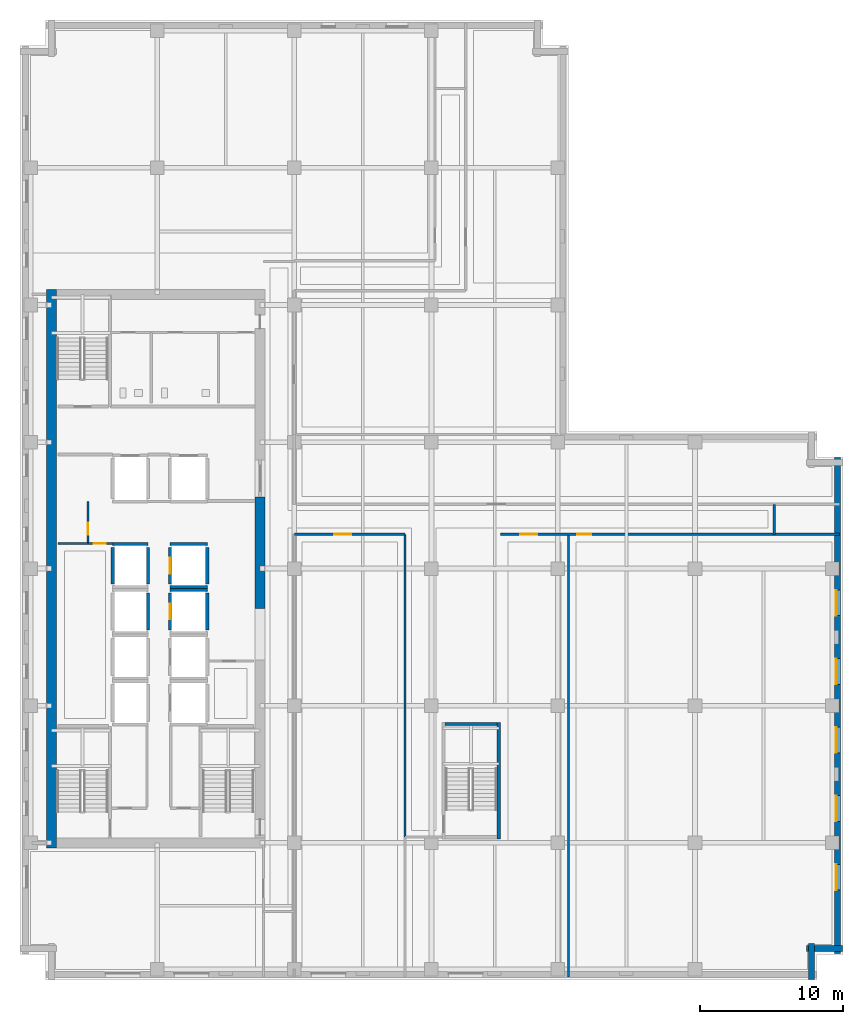
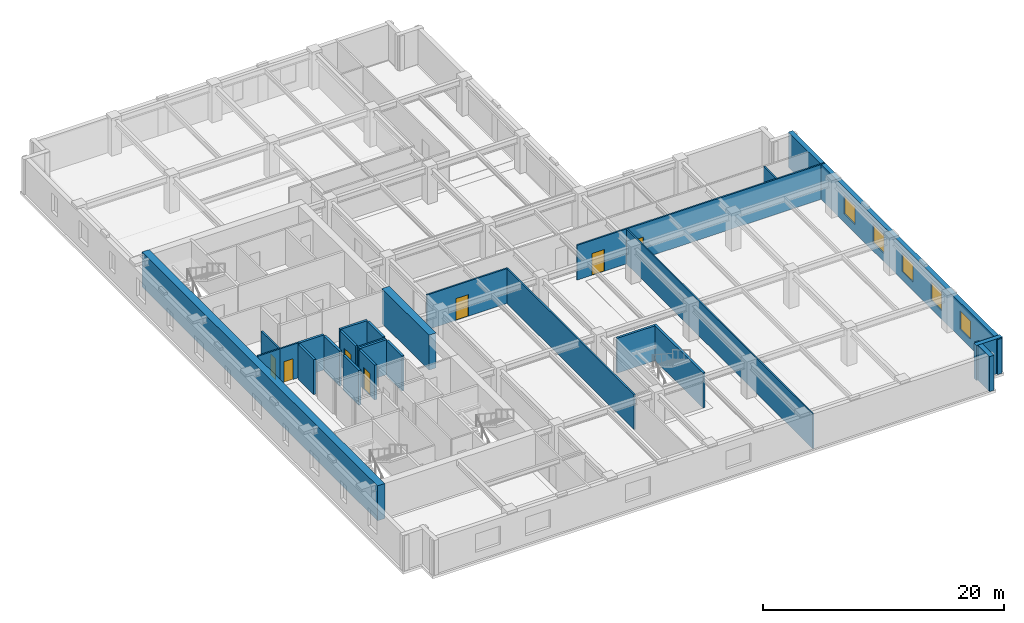
# One storey, part 5 of 14: 26 walls, 7 doors, 5 windows, 12 openings.
"""IFC4 building model written with IfcOpenShell, lengths in metres."""

from ifc_helpers import new_model, si_unit, direction, frame, frame_2d, origin, place, context, subcontext, project, spatial, rectangle, extrude, material, layer, layer_set, type_object, element, fill, save


model = new_model("IFC4")

# Units and contexts
model_context = context("Model", 3, precision=1e-05, world=origin(), true_north=direction((0.0, 1.0)))
body_context = subcontext(model_context, "Body", "Model", "MODEL_VIEW")
ifc_project = project(units=[si_unit("LENGTHUNIT", "METRE"), si_unit("AREAUNIT", "SQUARE_METRE"), si_unit("VOLUMEUNIT", "CUBIC_METRE"), si_unit("PLANEANGLEUNIT", "RADIAN"), si_unit("MASSUNIT", "GRAM", prefix="KILO")], contexts=[model_context])

# Site, building, storey
site_placement = place(None, origin())
site = spatial("IfcSite", under=ifc_project, at=site_placement, CompositionType="ELEMENT")
building_placement = place(site_placement, origin())
building = spatial("IfcBuilding", under=site, at=building_placement, Name="Norrvale University Quadrangle", CompositionType="ELEMENT")
storey_placement = place(building_placement, frame((0.0, 0.0, 156.0)))
storey = spatial("IfcBuildingStorey", under=building, at=storey_placement, Name="L39", CompositionType="ELEMENT", Elevation=156.0)

# Walls
ifc_material_1 = material(Name="Buff Norman Clay Brick Masonry", Category="masonry")
ifc_layer_1 = layer(ifc_material_1, 0.419921875, Name="Buff Norman Clay Brick Masonry")
ifc_layer_set_1 = layer_set([ifc_layer_1], Name="Buff Norman Clay Brick Masonry")
wall_type_1 = type_object("IfcWallType", Name="Wall Buff Brick 420", PredefinedType="SOLIDWALL", material=ifc_layer_set_1)
for number, where, z_axis, x_axis, name in (
    (1, (55.409912109375, 0.0400390625, 0.0), (0.0, 0.0, 1.0), (0.0, 1.0, 0.0), "Exterior Brick Facade Wall L39-02.1"),
    (2, (55.06005859375, 2.18994140625, 0.0), (0.0, 0.0, 1.0), (1.0, 0.0, 0.0), "Exterior Brick Facade Wall L39-03.1"),
):
    element("IfcWall", number, at=place(storey_placement, frame(where, z_axis=z_axis, x_axis=x_axis)), inside=storey, type_object=wall_type_1, Name=name, PredefinedType="SOLIDWALL", context=body_context, shape_type="SweptSolid", body=[
        extrude(rectangle(XDim=2.5, YDim=0.419921875, at=frame_2d((1.25, 0.0))), origin(), (0.0, 0.0, 1.0), 3.5400390625),
    ])

# Wall, openings, windows
wall_1_placement = place(storey_placement, frame((57.2099609375, 1.840087890625, 0.0), z_axis=(0.0, 0.0, 1.0), x_axis=(0.0, 1.0, 0.0)))
wall_1 = element("IfcWall", 3, at=wall_1_placement, inside=storey, type_object=wall_type_1, Name="Exterior Brick Facade Wall L39-04.1", PredefinedType="SOLIDWALL", context=body_context, shape_type="SweptSolid", body=[
    extrude(rectangle(XDim=34.719970703125, YDim=0.419921875, at=frame_2d((17.35986328125, 0.0))), origin(), (0.0, 0.0, 1.0), 3.5400390625),
])
opening_1_placement = place(wall_1_placement, frame((4.4599609375, 0.0, 0.85009765625)))
opening_1 = element("IfcOpeningElement", 4, at=opening_1_placement, cuts=wall_1, Name="Opening W01", PredefinedType="OPENING", context=body_context, shape_type="SweptSolid", body=[
    extrude(rectangle(XDim=1.800048828125, YDim=1.85009765625, at=frame_2d((0.89990234375, 0.925048828125))), frame((0.0, 0.221923828125, 0.0), z_axis=(0.0, -1.0, 0.0), x_axis=(1.0, 0.0, 0.0)), (0.0, 0.0, 1.0), 0.44384765625),
])
opening_2_placement = place(wall_1_placement, frame((9.260009765625, 0.0, 0.85009765625)))
opening_2 = element("IfcOpeningElement", 5, at=opening_2_placement, cuts=wall_1, Name="Opening W01", PredefinedType="OPENING", context=body_context, shape_type="SweptSolid", body=[
    extrude(rectangle(XDim=1.800048828125, YDim=1.85009765625, at=frame_2d((0.89990234375, 0.925048828125))), frame((0.0, 0.221923828125, 0.0), z_axis=(0.0, -1.0, 0.0), x_axis=(1.0, 0.0, 0.0)), (0.0, 0.0, 1.0), 0.44384765625),
])
opening_3_placement = place(wall_1_placement, frame((14.06005859375, 0.0, 0.85009765625)))
opening_3 = element("IfcOpeningElement", 6, at=opening_3_placement, cuts=wall_1, Name="Opening W01", PredefinedType="OPENING", context=body_context, shape_type="SweptSolid", body=[
    extrude(rectangle(XDim=1.800048828125, YDim=1.85009765625, at=frame_2d((0.89990234375, 0.925048828125))), frame((0.0, 0.221923828125, 0.0), z_axis=(0.0, -1.0, 0.0), x_axis=(1.0, 0.0, 0.0)), (0.0, 0.0, 1.0), 0.44384765625),
])
opening_4_placement = place(wall_1_placement, frame((18.860107421875, 0.0, 0.85009765625)))
opening_4 = element("IfcOpeningElement", 7, at=opening_4_placement, cuts=wall_1, Name="Opening W01", PredefinedType="OPENING", context=body_context, shape_type="SweptSolid", body=[
    extrude(rectangle(XDim=1.800048828125, YDim=1.85009765625, at=frame_2d((0.89990234375, 0.925048828125))), frame((0.0, 0.221923828125, 0.0), z_axis=(0.0, -1.0, 0.0), x_axis=(1.0, 0.0, 0.0)), (0.0, 0.0, 1.0), 0.44384765625),
])
opening_5_placement = place(wall_1_placement, frame((23.659912109375, 0.0, 0.85009765625)))
opening_5 = element("IfcOpeningElement", 8, at=opening_5_placement, cuts=wall_1, Name="Opening W01", PredefinedType="OPENING", context=body_context, shape_type="SweptSolid", body=[
    extrude(rectangle(XDim=1.800048828125, YDim=1.85009765625, at=frame_2d((0.89990234375, 0.925048828125))), frame((0.0, 0.221923828125, 0.0), z_axis=(0.0, -1.0, 0.0), x_axis=(1.0, 0.0, 0.0)), (0.0, 0.0, 1.0), 0.44384765625),
])
ifc_material_2 = material(Name="Triple Low-E Argon Glazing", Category="glass")
window_type = type_object("IfcWindowType", Name="Window Academic 1800x2300", PartitioningType="DOUBLE_PANEL_VERTICAL", PredefinedType="WINDOW", material=ifc_material_2)
window_1_placement = place(opening_1_placement, origin())
window_1 = element("IfcWindow", 9, at=window_1_placement, inside=storey, type_object=window_type, Name="Window Academic 1800x2300 WIN-L39-E04-1-01", OverallHeight=1.85009765625, OverallWidth=1.800048828125, PartitioningType="DOUBLE_PANEL_VERTICAL", PredefinedType="WINDOW", context=body_context, shape_type="SweptSolid", body=[
    extrude(rectangle(XDim=1.800048828125, YDim=1.85009765625, at=frame_2d((0.89990234375, 0.925048828125))), frame((0.0, 0.110107421875, 0.0), z_axis=(0.0, -1.0, 0.0), x_axis=(1.0, 0.0, 0.0)), (0.0, 0.0, 1.0), 0.06005859375),
])
fill(opening_1, window_1)
window_2_placement = place(opening_2_placement, origin())
window_2 = element("IfcWindow", 10, at=window_2_placement, inside=storey, type_object=window_type, Name="Window Academic 1800x2300 WIN-L39-E04-1-02", OverallHeight=1.85009765625, OverallWidth=1.800048828125, PartitioningType="DOUBLE_PANEL_VERTICAL", PredefinedType="WINDOW", context=body_context, shape_type="SweptSolid", body=[
    extrude(rectangle(XDim=1.800048828125, YDim=1.85009765625, at=frame_2d((0.89990234375, 0.925048828125))), frame((0.0, 0.110107421875, 0.0), z_axis=(0.0, -1.0, 0.0), x_axis=(1.0, 0.0, 0.0)), (0.0, 0.0, 1.0), 0.06005859375),
])
fill(opening_2, window_2)
window_3_placement = place(opening_3_placement, origin())
window_3 = element("IfcWindow", 11, at=window_3_placement, inside=storey, type_object=window_type, Name="Window Academic 1800x2300 WIN-L39-E04-1-03", OverallHeight=1.85009765625, OverallWidth=1.800048828125, PartitioningType="DOUBLE_PANEL_VERTICAL", PredefinedType="WINDOW", context=body_context, shape_type="SweptSolid", body=[
    extrude(rectangle(XDim=1.800048828125, YDim=1.85009765625, at=frame_2d((0.89990234375, 0.925048828125))), frame((0.0, 0.110107421875, 0.0), z_axis=(0.0, -1.0, 0.0), x_axis=(1.0, 0.0, 0.0)), (0.0, 0.0, 1.0), 0.06005859375),
])
fill(opening_3, window_3)
window_4_placement = place(opening_4_placement, origin())
window_4 = element("IfcWindow", 12, at=window_4_placement, inside=storey, type_object=window_type, Name="Window Academic 1800x2300 WIN-L39-E04-1-04", OverallHeight=1.85009765625, OverallWidth=1.800048828125, PartitioningType="DOUBLE_PANEL_VERTICAL", PredefinedType="WINDOW", context=body_context, shape_type="SweptSolid", body=[
    extrude(rectangle(XDim=1.800048828125, YDim=1.85009765625, at=frame_2d((0.89990234375, 0.925048828125))), frame((0.0, 0.110107421875, 0.0), z_axis=(0.0, -1.0, 0.0), x_axis=(1.0, 0.0, 0.0)), (0.0, 0.0, 1.0), 0.06005859375),
])
fill(opening_4, window_4)
window_5_placement = place(opening_5_placement, origin())
window_5 = element("IfcWindow", 13, at=window_5_placement, inside=storey, type_object=window_type, Name="Window Academic 1800x2300 WIN-L39-E04-1-05", OverallHeight=1.85009765625, OverallWidth=1.800048828125, PartitioningType="DOUBLE_PANEL_VERTICAL", PredefinedType="WINDOW", context=body_context, shape_type="SweptSolid", body=[
    extrude(rectangle(XDim=1.800048828125, YDim=1.85009765625, at=frame_2d((0.89990234375, 0.925048828125))), frame((0.0, 0.110107421875, 0.0), z_axis=(0.0, -1.0, 0.0), x_axis=(1.0, 0.0, 0.0)), (0.0, 0.0, 1.0), 0.06005859375),
])
fill(opening_5, window_5)

# Walls
ifc_material_3 = material(Name="Concrete C60/75", Category="concrete")
ifc_layer_2 = layer(ifc_material_3, 0.699951171875, Name="Concrete C60/75")
ifc_layer_set_2 = layer_set([ifc_layer_2], Name="Concrete C60/75")
wall_type_2 = type_object("IfcWallType", Name="Wall Core 700", PredefinedType="SHEAR", material=ifc_layer_set_2)
wall_2_placement = place(storey_placement, frame((2.199951171875, 9.25, 0.0), z_axis=(0.0, 0.0, 1.0), x_axis=(0.0, 1.0, 0.0)))
element("IfcWall", 14, at=wall_2_placement, inside=storey, type_object=wall_type_2, Name="Tower Core Shear Wall L39-W", PredefinedType="SHEAR", context=body_context, shape_type="SweptSolid", body=[
    extrude(rectangle(XDim=39.10009765625, YDim=0.699951171875, at=frame_2d((19.550048828125, 0.0))), origin(), (0.0, 0.0, 1.0), 3.5400390625),
])
wall_3_placement = place(storey_placement, frame((16.800048828125, 26.0, 0.0), z_axis=(0.0, 0.0, 1.0), x_axis=(0.0, 1.0, 0.0)))
element("IfcWall", 15, at=wall_3_placement, inside=storey, type_object=wall_type_2, Name="Tower Core Shear Wall L39-E2", PredefinedType="SHEAR", context=body_context, shape_type="SweptSolid", body=[
    extrude(rectangle(XDim=7.800048828125, YDim=0.699951171875, at=frame_2d((3.89990234375, 0.0))), origin(), (0.0, 0.0, 1.0), 3.5400390625),
])
ifc_material_4 = material(Name="Standard Academic Gypsum Partition")
ifc_layer_3 = layer(ifc_material_4, 0.125, Name="Standard Academic Gypsum Partition")
ifc_layer_set_3 = layer_set([ifc_layer_3], Name="Standard Academic Gypsum Partition")
wall_type_3 = type_object("IfcWallType", Name="Wall Gypsum Academic 125", PredefinedType="PARTITIONING", material=ifc_layer_set_3)
wall_4_placement = place(storey_placement, frame((38.39990234375, 0.219970703125, 0.0), z_axis=(0.0, 0.0, 1.0), x_axis=(0.0, 1.0, 0.0)))
element("IfcWall", 16, at=wall_4_placement, inside=storey, type_object=wall_type_3, Name="Interior Partition WL-L39-SEP2", PredefinedType="PARTITIONING", context=body_context, shape_type="SweptSolid", body=[
    extrude(rectangle(XDim=30.97998046875, YDim=0.125, at=frame_2d((15.489990234375, 0.0))), origin(), (0.0, 0.0, 1.0), 3.5400390625),
])

# Wall, opening, door
ifc_material_5 = material(Name="Fire-Rated Gypsum Stud Partition")
ifc_layer_4 = layer(ifc_material_5, 0.14990234375, Name="Fire-Rated Gypsum Stud Partition")
ifc_layer_set_4 = layer_set([ifc_layer_4], Name="Fire-Rated Gypsum Stud Partition")
wall_type_4 = type_object("IfcWallType", Name="Wall Gypsum Corridor 150", PredefinedType="PARTITIONING", material=ifc_layer_set_4)
wall_5_placement = place(storey_placement, frame((4.760009765625, 30.550048828125, 0.0), z_axis=(0.0, 0.0, 1.0), x_axis=(0.0, 1.0, 0.0)))
wall_5 = element("IfcWall", 17, at=wall_5_placement, inside=storey, type_object=wall_type_4, Name="Interior Partition WL-L39-WME-E", PredefinedType="PARTITIONING", context=body_context, shape_type="SweptSolid", body=[
    extrude(rectangle(XDim=2.929931640625, YDim=0.14990234375, at=frame_2d((1.46484375, 0.0))), origin(), (0.0, 0.0, 1.0), 3.5400390625),
])
opening_6_placement = place(wall_5_placement, frame((0.60009765625, 0.0, 0.0)))
opening_6 = element("IfcOpeningElement", 18, at=opening_6_placement, cuts=wall_5, Name="Opening D10", PredefinedType="OPENING", context=body_context, shape_type="SweptSolid", body=[
    extrude(rectangle(XDim=0.85009765625, YDim=2.10009765625, at=frame_2d((0.425048828125, 1.050048828125))), frame((0.0, 0.0869140625, 0.0), z_axis=(0.0, -1.0, 0.0), x_axis=(1.0, 0.0, 0.0)), (0.0, 0.0, 1.0), 0.173828125),
])
ifc_material_6 = material(Name="Hollow Steel 350W Riser Fire Door", Category="steel")
door_type_1 = type_object("IfcDoorType", Name="Door Riser 850x2100", OperationType="NOTDEFINED", PredefinedType="DOOR", material=ifc_material_6)
door_1_placement = place(opening_6_placement, origin())
door_1 = element("IfcDoor", 19, at=door_1_placement, inside=storey, type_object=door_type_1, Name="Door Riser 850x2100 DR-L39-WME", OperationType="SINGLE_SWING_LEFT", OverallHeight=2.10009765625, OverallWidth=0.85009765625, PredefinedType="DOOR", context=body_context, shape_type="SweptSolid", body=[
    extrude(rectangle(XDim=0.85009765625, YDim=2.10009765625, at=frame_2d((0.425048828125, 1.050048828125))), frame((0.0, 0.02490234375, 0.0), z_axis=(0.0, -1.0, 0.0), x_axis=(1.0, 0.0, 0.0)), (0.0, 0.0, 1.0), 0.050048828125),
])
fill(opening_6, door_1)

wall_6_placement = place(storey_placement, frame((4.760009765625, 30.550048828125, 0.0), z_axis=(0.0, 0.0, 1.0), x_axis=(1.0, 0.0, 0.0)))
wall_6 = element("IfcWall", 20, at=wall_6_placement, inside=storey, type_object=wall_type_4, Name="Interior Partition WL-L39-WST-N", PredefinedType="PARTITIONING", context=body_context, shape_type="SweptSolid", body=[
    extrude(rectangle(XDim=1.760009765625, YDim=0.14990234375, at=frame_2d((0.8798828125, 0.0))), origin(), (0.0, 0.0, 1.0), 3.5400390625),
])
opening_7_placement = place(wall_6_placement, frame((0.39990234375, 0.0, 0.0)))
opening_7 = element("IfcOpeningElement", 21, at=opening_7_placement, cuts=wall_6, Name="Opening D10", PredefinedType="OPENING", context=body_context, shape_type="SweptSolid", body=[
    extrude(rectangle(XDim=0.85009765625, YDim=2.10009765625, at=frame_2d((0.425048828125, 1.050048828125))), frame((0.0, 0.0869140625, 0.0), z_axis=(0.0, -1.0, 0.0), x_axis=(1.0, 0.0, 0.0)), (0.0, 0.0, 1.0), 0.173828125),
])
door_2_placement = place(opening_7_placement, origin())
door_2 = element("IfcDoor", 22, at=door_2_placement, inside=storey, type_object=door_type_1, Name="Door Riser 850x2100 DR-L39-WST", OperationType="SINGLE_SWING_RIGHT", OverallHeight=2.10009765625, OverallWidth=0.85009765625, PredefinedType="DOOR", context=body_context, shape_type="SweptSolid", body=[
    extrude(rectangle(XDim=0.85009765625, YDim=2.10009765625, at=frame_2d((0.425048828125, 1.050048828125))), frame((0.0, 0.02490234375, 0.0), z_axis=(0.0, -1.0, 0.0), x_axis=(1.0, 0.0, 0.0)), (0.0, 0.0, 1.0), 0.050048828125),
])
fill(opening_7, door_2)

# Walls
wall_7_placement = place(storey_placement, frame((2.64990234375, 30.550048828125, 0.0), z_axis=(0.0, 0.0, 1.0), x_axis=(1.0, 0.0, 0.0)))
element("IfcWall", 23, at=wall_7_placement, inside=storey, type_object=wall_type_4, Name="Interior Partition WL-L39-WST-N2", PredefinedType="PARTITIONING", context=body_context, shape_type="SweptSolid", body=[
    extrude(rectangle(XDim=2.110107421875, YDim=0.14990234375, at=frame_2d((1.05517578125, 0.0))), origin(), (0.0, 0.0, 1.0), 3.5400390625),
])
wall_8_placement = place(storey_placement, frame((52.800048828125, 31.199951171875, 0.0), z_axis=(0.0, 0.0, 1.0), x_axis=(0.0, 1.0, 0.0)))
element("IfcWall", 24, at=wall_8_placement, inside=storey, type_object=wall_type_4, Name="Interior Partition WL-L39-CESP-E", PredefinedType="PARTITIONING", context=body_context, shape_type="SweptSolid", body=[
    extrude(rectangle(XDim=2.10009765625, YDim=0.14990234375, at=frame_2d((1.050048828125, 0.0))), origin(), (0.0, 0.0, 1.0), 3.5400390625),
])

# Wall, opening, door
wall_9_placement = place(storey_placement, frame((19.199951171875, 31.199951171875, 0.0), z_axis=(0.0, 0.0, 1.0), x_axis=(1.0, 0.0, 0.0)))
wall_9 = element("IfcWall", 25, at=wall_9_placement, inside=storey, type_object=wall_type_4, Name="Interior Partition WL-L39-SEW1", PredefinedType="PARTITIONING", context=body_context, shape_type="SweptSolid", body=[
    extrude(rectangle(XDim=7.75, YDim=0.14990234375, at=frame_2d((3.875, 0.0))), origin(), (0.0, 0.0, 1.0), 3.5400390625),
])
opening_8_placement = place(wall_9_placement, frame((2.800048828125, 0.0, 0.0)))
opening_8 = element("IfcOpeningElement", 26, at=opening_8_placement, cuts=wall_9, Name="Opening D05", PredefinedType="OPENING", context=body_context, shape_type="SweptSolid", body=[
    extrude(rectangle(XDim=1.199951171875, YDim=2.199951171875, at=frame_2d((0.60009765625, 1.10009765625))), frame((0.0, 0.0869140625, 0.0), z_axis=(0.0, -1.0, 0.0), x_axis=(1.0, 0.0, 0.0)), (0.0, 0.0, 1.0), 0.173828125),
])
ifc_material_7 = material(Name="Acoustic Oak Classroom Door", Category="wood")
door_type_2 = type_object("IfcDoorType", Name="Door Classroom 1200x2200", OperationType="NOTDEFINED", PredefinedType="DOOR", material=ifc_material_7)
door_3_placement = place(opening_8_placement, origin())
door_3 = element("IfcDoor", 27, at=door_3_placement, inside=storey, type_object=door_type_2, Name="Door Classroom 1200x2200 DR-L39-SE1", OperationType="SINGLE_SWING_LEFT", OverallHeight=2.199951171875, OverallWidth=1.199951171875, PredefinedType="DOOR", context=body_context, shape_type="SweptSolid", body=[
    extrude(rectangle(XDim=1.199951171875, YDim=2.199951171875, at=frame_2d((0.60009765625, 1.10009765625))), frame((0.0, 0.02490234375, 0.0), z_axis=(0.0, -1.0, 0.0), x_axis=(1.0, 0.0, 0.0)), (0.0, 0.0, 1.0), 0.050048828125),
])
fill(opening_8, door_3)

# Wall
wall_10_placement = place(storey_placement, frame((26.949951171875, 10.0, 0.0), z_axis=(0.0, 0.0, 1.0), x_axis=(0.0, 1.0, 0.0)))
element("IfcWall", 28, at=wall_10_placement, inside=storey, type_object=wall_type_4, Name="Interior Partition WL-L39-SEP1B", PredefinedType="PARTITIONING", context=body_context, shape_type="SweptSolid", body=[
    extrude(rectangle(XDim=21.199951171875, YDim=0.14990234375, at=frame_2d((10.60009765625, 0.0))), origin(), (0.0, 0.0, 1.0), 3.5400390625),
])

# Wall, openings, doors
wall_11_placement = place(storey_placement, frame((33.6201171875, 31.199951171875, 0.0), z_axis=(0.0, 0.0, 1.0), x_axis=(1.0, 0.0, 0.0)))
wall_11 = element("IfcWall", 29, at=wall_11_placement, inside=storey, type_object=wall_type_4, Name="Interior Partition WL-L39-SEW2", PredefinedType="PARTITIONING", context=body_context, shape_type="SweptSolid", body=[
    extrude(rectangle(XDim=23.759765625, YDim=0.14990234375, at=frame_2d((11.8798828125, 0.0))), origin(), (0.0, 0.0, 1.0), 3.5400390625),
])
opening_9_placement = place(wall_11_placement, frame((1.39990234375, 0.0, 0.0)))
opening_9 = element("IfcOpeningElement", 30, at=opening_9_placement, cuts=wall_11, Name="Opening D05", PredefinedType="OPENING", context=body_context, shape_type="SweptSolid", body=[
    extrude(rectangle(XDim=1.199951171875, YDim=2.199951171875, at=frame_2d((0.60009765625, 1.10009765625))), frame((0.0, 0.0869140625, 0.0), z_axis=(0.0, -1.0, 0.0), x_axis=(1.0, 0.0, 0.0)), (0.0, 0.0, 1.0), 0.173828125),
])
opening_10_placement = place(wall_11_placement, frame((5.39990234375, 0.0, 0.0)))
opening_10 = element("IfcOpeningElement", 31, at=opening_10_placement, cuts=wall_11, Name="Opening D07", PredefinedType="OPENING", context=body_context, shape_type="SweptSolid", body=[
    extrude(rectangle(XDim=0.949951171875, YDim=2.14990234375, at=frame_2d((0.47509765625, 1.074951171875))), frame((0.0, 0.0869140625, 0.0), z_axis=(0.0, -1.0, 0.0), x_axis=(1.0, 0.0, 0.0)), (0.0, 0.0, 1.0), 0.173828125),
])
door_4_placement = place(opening_9_placement, origin())
door_4 = element("IfcDoor", 32, at=door_4_placement, inside=storey, type_object=door_type_2, Name="Door Classroom 1200x2200 DR-L39-SE2", OperationType="SINGLE_SWING_RIGHT", OverallHeight=2.199951171875, OverallWidth=1.199951171875, PredefinedType="DOOR", context=body_context, shape_type="SweptSolid", body=[
    extrude(rectangle(XDim=1.199951171875, YDim=2.199951171875, at=frame_2d((0.60009765625, 1.10009765625))), frame((0.0, 0.02490234375, 0.0), z_axis=(0.0, -1.0, 0.0), x_axis=(1.0, 0.0, 0.0)), (0.0, 0.0, 1.0), 0.050048828125),
])
fill(opening_9, door_4)
ifc_material_8 = material(Name="Solid-Core Maple Door", Category="wood")
door_type_3 = type_object("IfcDoorType", Name="Door Office 950x2150", OperationType="NOTDEFINED", PredefinedType="DOOR", material=ifc_material_8)
door_5_placement = place(opening_10_placement, origin())
door_5 = element("IfcDoor", 33, at=door_5_placement, inside=storey, type_object=door_type_3, Name="Door Office 950x2150 DR-L39-SE3", OperationType="SINGLE_SWING_LEFT", OverallHeight=2.14990234375, OverallWidth=0.949951171875, PredefinedType="DOOR", context=body_context, shape_type="SweptSolid", body=[
    extrude(rectangle(XDim=0.949951171875, YDim=2.14990234375, at=frame_2d((0.47509765625, 1.074951171875))), frame((0.0, 0.02490234375, 0.0), z_axis=(0.0, -1.0, 0.0), x_axis=(1.0, 0.0, 0.0)), (0.0, 0.0, 1.0), 0.050048828125),
])
fill(opening_10, door_5)

# Walls
ifc_material_9 = material(Name="Concrete Blockwork 20 MPa Fire Shaft", Category="masonry")
ifc_layer_5 = layer(ifc_material_9, 0.219970703125, Name="Concrete Blockwork 20 MPa Fire Shaft")
ifc_layer_set_5 = layer_set([ifc_layer_5], Name="Concrete Blockwork 20 MPa Fire Shaft")
wall_type_5 = type_object("IfcWallType", Name="Wall Shaft 220", PredefinedType="SOLIDWALL", material=ifc_layer_set_5)
wall_12_placement = place(storey_placement, frame((33.510009765625, 9.8798828125, 0.0), z_axis=(0.0, 0.0, 1.0), x_axis=(0.0, 1.0, 0.0)))
element("IfcWall", 34, at=wall_12_placement, inside=storey, type_object=wall_type_5, Name="Stair ST-04 East Shaft Wall L39", PredefinedType="SOLIDWALL", context=body_context, shape_type="SweptSolid", body=[
    extrude(rectangle(XDim=8.14013671875, YDim=0.219970703125, at=frame_2d((4.070068359375, 0.0))), origin(), (0.0, 0.0, 1.0), 3.5400390625),
])
wall_13_placement = place(storey_placement, frame((29.75, 17.909912109375, 0.0), z_axis=(0.0, 0.0, 1.0), x_axis=(1.0, 0.0, 0.0)))
element("IfcWall", 35, at=wall_13_placement, inside=storey, type_object=wall_type_5, Name="Stair ST-04 North Shaft Wall L39", PredefinedType="SOLIDWALL", context=body_context, shape_type="SweptSolid", body=[
    extrude(rectangle(XDim=3.64990234375, YDim=0.219970703125, at=frame_2d((1.824951171875, 0.0))), origin(), (0.0, 0.0, 1.0), 3.5400390625),
])
for number, where, z_axis, x_axis, name in (
    (36, (8.9599609375, 24.510009765625, 0.0), (0.0, 0.0, 1.0), (0.0, 1.0, 0.0), "Hoistway PL-03 East Wall L39"),
    (37, (6.489990234375, 27.7099609375, 0.0), (0.0, 0.0, 1.0), (0.0, 1.0, 0.0), "Hoistway PL-04 West Wall L39"),
    (38, (8.9599609375, 27.7099609375, 0.0), (0.0, 0.0, 1.0), (0.0, 1.0, 0.0), "Hoistway PL-04 East Wall L39"),
):
    element("IfcWall", number, at=place(storey_placement, frame(where, z_axis=z_axis, x_axis=x_axis)), inside=storey, type_object=wall_type_5, Name=name, PredefinedType="SOLIDWALL", context=body_context, shape_type="SweptSolid", body=[
        extrude(rectangle(XDim=2.580078125, YDim=0.219970703125, at=frame_2d((1.2900390625, 0.0))), origin(), (0.0, 0.0, 1.0), 3.5400390625),
    ])
wall_14_placement = place(storey_placement, frame((6.489990234375, 30.510009765625, 0.0), z_axis=(0.0, 0.0, 1.0), x_axis=(1.0, 0.0, 0.0)))
element("IfcWall", 39, at=wall_14_placement, inside=storey, type_object=wall_type_5, Name="Hoistway PL-04 North Wall L39", PredefinedType="SOLIDWALL", context=body_context, shape_type="SweptSolid", body=[
    extrude(rectangle(XDim=2.469970703125, YDim=0.219970703125, at=frame_2d((1.23486328125, 0.0))), origin(), (0.0, 0.0, 1.0), 3.5400390625),
])

# Wall, opening, door
wall_15_placement = place(storey_placement, frame((10.489990234375, 24.510009765625, 0.0), z_axis=(0.0, 0.0, 1.0), x_axis=(0.0, 1.0, 0.0)))
wall_15 = element("IfcWall", 40, at=wall_15_placement, inside=storey, type_object=wall_type_5, Name="Hoistway PL-07 West Wall L39", PredefinedType="SOLIDWALL", context=body_context, shape_type="SweptSolid", body=[
    extrude(rectangle(XDim=2.580078125, YDim=0.219970703125, at=frame_2d((1.2900390625, 0.0))), origin(), (0.0, 0.0, 1.0), 3.5400390625),
])
opening_11_placement = place(wall_15_placement, frame((0.739990234375, 0.0, 0.0)))
opening_11 = element("IfcOpeningElement", 41, at=opening_11_placement, cuts=wall_15, Name="Opening LD1", PredefinedType="OPENING", context=body_context, shape_type="SweptSolid", body=[
    extrude(rectangle(XDim=1.10009765625, YDim=2.199951171875, at=frame_2d((0.550048828125, 1.10009765625))), frame((0.0, 0.1220703125, 0.0), z_axis=(0.0, -1.0, 0.0), x_axis=(1.0, 0.0, 0.0)), (0.0, 0.0, 1.0), 0.243896484375),
])
ifc_material_10 = material(Name="Stainless Steel 316L Lift Landing Door", Category="steel")
door_type_4 = type_object("IfcDoorType", Name="Door Lift Landing 1100x2200", OperationType="DOUBLE_DOOR_SLIDING", PredefinedType="DOOR", material=ifc_material_10)
door_6_placement = place(opening_11_placement, origin())
door_6 = element("IfcDoor", 42, at=door_6_placement, inside=storey, type_object=door_type_4, Name="Elevator Landing Door DR-L39-PL-07", OperationType="DOUBLE_DOOR_SLIDING", OverallHeight=2.199951171875, OverallWidth=1.10009765625, PredefinedType="DOOR", context=body_context, shape_type="SweptSolid", body=[
    extrude(rectangle(XDim=1.10009765625, YDim=2.199951171875, at=frame_2d((0.550048828125, 1.10009765625))), frame((0.0, 0.02490234375, 0.0), z_axis=(0.0, -1.0, 0.0), x_axis=(1.0, 0.0, 0.0)), (0.0, 0.0, 1.0), 0.050048828125),
])
fill(opening_11, door_6)

# Walls
wall_16_placement = place(storey_placement, frame((13.110107421875, 24.510009765625, 0.0), z_axis=(0.0, 0.0, 1.0), x_axis=(0.0, 1.0, 0.0)))
element("IfcWall", 43, at=wall_16_placement, inside=storey, type_object=wall_type_5, Name="Hoistway PL-07 East Wall L39", PredefinedType="SOLIDWALL", context=body_context, shape_type="SweptSolid", body=[
    extrude(rectangle(XDim=2.580078125, YDim=0.219970703125, at=frame_2d((1.2900390625, 0.0))), origin(), (0.0, 0.0, 1.0), 3.5400390625),
])
wall_17_placement = place(storey_placement, frame((10.489990234375, 27.31005859375, 0.0), z_axis=(0.0, 0.0, 1.0), x_axis=(1.0, 0.0, 0.0)))
element("IfcWall", 44, at=wall_17_placement, inside=storey, type_object=wall_type_5, Name="Hoistway PL-07 North Wall L39", PredefinedType="SOLIDWALL", context=body_context, shape_type="SweptSolid", body=[
    extrude(rectangle(XDim=2.6201171875, YDim=0.219970703125, at=frame_2d((1.31005859375, 0.0))), origin(), (0.0, 0.0, 1.0), 3.5400390625),
])

# Wall, opening, door
wall_18_placement = place(storey_placement, frame((10.489990234375, 27.7099609375, 0.0), z_axis=(0.0, 0.0, 1.0), x_axis=(0.0, 1.0, 0.0)))
wall_18 = element("IfcWall", 45, at=wall_18_placement, inside=storey, type_object=wall_type_5, Name="Hoistway PL-08 West Wall L39", PredefinedType="SOLIDWALL", context=body_context, shape_type="SweptSolid", body=[
    extrude(rectangle(XDim=2.580078125, YDim=0.219970703125, at=frame_2d((1.2900390625, 0.0))), origin(), (0.0, 0.0, 1.0), 3.5400390625),
])
opening_12_placement = place(wall_18_placement, frame((0.739990234375, 0.0, 0.0)))
opening_12 = element("IfcOpeningElement", 46, at=opening_12_placement, cuts=wall_18, Name="Opening LD1", PredefinedType="OPENING", context=body_context, shape_type="SweptSolid", body=[
    extrude(rectangle(XDim=1.10009765625, YDim=2.199951171875, at=frame_2d((0.550048828125, 1.10009765625))), frame((0.0, 0.1220703125, 0.0), z_axis=(0.0, -1.0, 0.0), x_axis=(1.0, 0.0, 0.0)), (0.0, 0.0, 1.0), 0.243896484375),
])
door_7_placement = place(opening_12_placement, origin())
door_7 = element("IfcDoor", 47, at=door_7_placement, inside=storey, type_object=door_type_4, Name="Elevator Landing Door DR-L39-PL-08", OperationType="DOUBLE_DOOR_SLIDING", OverallHeight=2.199951171875, OverallWidth=1.10009765625, PredefinedType="DOOR", context=body_context, shape_type="SweptSolid", body=[
    extrude(rectangle(XDim=1.10009765625, YDim=2.199951171875, at=frame_2d((0.550048828125, 1.10009765625))), frame((0.0, 0.02490234375, 0.0), z_axis=(0.0, -1.0, 0.0), x_axis=(1.0, 0.0, 0.0)), (0.0, 0.0, 1.0), 0.050048828125),
])
fill(opening_12, door_7)

# Walls
wall_19_placement = place(storey_placement, frame((13.110107421875, 27.7099609375, 0.0), z_axis=(0.0, 0.0, 1.0), x_axis=(0.0, 1.0, 0.0)))
element("IfcWall", 48, at=wall_19_placement, inside=storey, type_object=wall_type_5, Name="Hoistway PL-08 East Wall L39", PredefinedType="SOLIDWALL", context=body_context, shape_type="SweptSolid", body=[
    extrude(rectangle(XDim=2.580078125, YDim=0.219970703125, at=frame_2d((1.2900390625, 0.0))), origin(), (0.0, 0.0, 1.0), 3.5400390625),
])
for number, where, z_axis, x_axis, name in (
    (49, (10.489990234375, 27.489990234375, 0.0), (0.0, 0.0, 1.0), (1.0, 0.0, 0.0), "Hoistway PL-08 South Wall L39"),
    (50, (10.489990234375, 30.510009765625, 0.0), (0.0, 0.0, 1.0), (1.0, 0.0, 0.0), "Hoistway PL-08 North Wall L39"),
):
    element("IfcWall", number, at=place(storey_placement, frame(where, z_axis=z_axis, x_axis=x_axis)), inside=storey, type_object=wall_type_5, Name=name, PredefinedType="SOLIDWALL", context=body_context, shape_type="SweptSolid", body=[
        extrude(rectangle(XDim=2.6201171875, YDim=0.219970703125, at=frame_2d((1.31005859375, 0.0))), origin(), (0.0, 0.0, 1.0), 3.5400390625),
    ])

save(model, "model.ifc")
